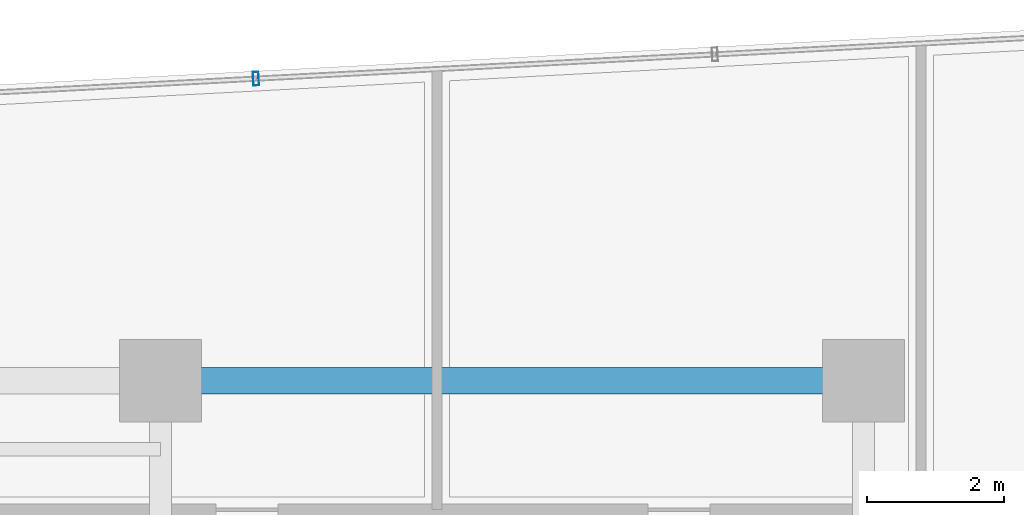
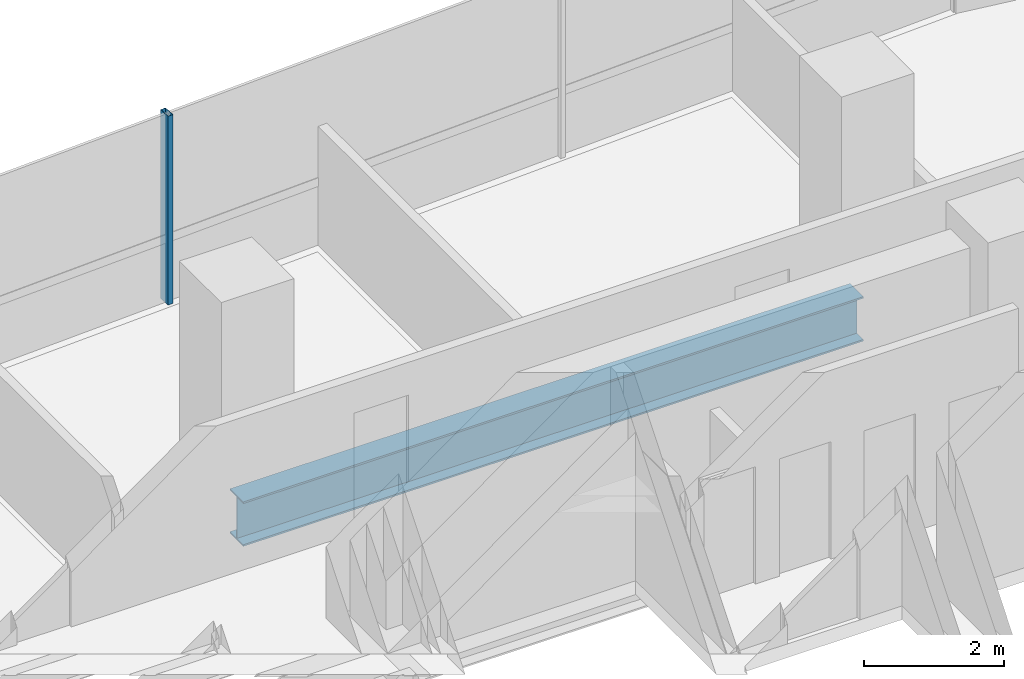
# One storey, part 20 of 35: 1 beam, 1 member, 1 element without a shape of its own.
"""IFC4 building model written with IfcOpenShell, lengths in metres."""

from ifc_helpers import new_model, si_unit, direction, frame, origin, origin_2d, place, context, subcontext, project, spatial, hollow_rectangle, i_section, extrude, source, transform, mapped, material, material_profile, profile_set, type_object, element, aggregate, save


model = new_model("IFC4")

# Units and contexts
model_context = context("Model", 3, precision=1e-05, world=origin(), true_north=direction((0.0, 1.0)))
body_context = subcontext(model_context, "Body", "Model", "MODEL_VIEW")
ifc_project = project(units=[si_unit("LENGTHUNIT", "METRE"), si_unit("AREAUNIT", "SQUARE_METRE"), si_unit("VOLUMEUNIT", "CUBIC_METRE"), si_unit("PLANEANGLEUNIT", "RADIAN"), si_unit("MASSUNIT", "GRAM", prefix="KILO")], contexts=[model_context])

# Site, building, storey
site_placement = place(None, origin())
site = spatial("IfcSite", under=ifc_project, at=site_placement, CompositionType="ELEMENT")
building_placement = place(site_placement, origin())
building = spatial("IfcBuilding", under=site, at=building_placement, Name="Valdorenza Pilgrim Sanctuary Tower", CompositionType="ELEMENT")
storey_placement = place(building_placement, frame((0.0, 0.0, 168.60009765625)))
storey = spatial("IfcBuildingStorey", under=building, at=storey_placement, Name="L43", CompositionType="ELEMENT", Elevation=168.60009765625)

# Beam
ifc_material_1 = material(Name="Steel ASTM A992 Grade 50", Category="steel")
ifc_material_profile_1 = material_profile(ifc_material_1, i_section(OverallWidth=0.382080078125, OverallDepth=0.779052734375, WebThickness=0.01806640625, FlangeThickness=0.030029296875, at=origin_2d()), Name="W30X191")
ifc_profile_set_1 = profile_set([ifc_material_profile_1], Name="Steel ASTM A992 Grade 50")
beam_type = type_object("IfcBeamType", Name="STR-BM-GRD-W30", PredefinedType="BEAM", material=ifc_profile_set_1)
shared_shape_1 = source(origin(), body_context, "Body", "SweptSolid", [
    extrude(i_section(OverallWidth=0.382080078125, OverallDepth=0.779052734375, WebThickness=0.01806640625, FlangeThickness=0.030029296875, at=origin_2d()), origin(), (0.0, 0.0, 1.0), 10.25),
])
beam_placement = place(storey_placement, frame((-22.64990234375, 14.800048828125, -0.629638671875), z_axis=(1.0, 0.0, 0.0), x_axis=(0.0, 1.0, 0.0)))
element("IfcBeam", 1, at=beam_placement, inside=storey, type_object=beam_type, Name="L43 Floor Girder CA-XC-N2", PredefinedType="BEAM", context=body_context, shape_type="MappedRepresentation", body=[
    mapped(shared_shape_1, transform((0.0, 0.0, 0.0), x_axis=(1.0, 0.0, 0.0), y_axis=(0.0, 1.0, 0.0), z_axis=(0.0, 0.0, 1.0), scale=1.0)),
])

# Curtain wall, member
ifc_material_2 = material(Name="Curtain-wall IGU glazing", Category="glass")
curtain_wall_type = type_object("IfcCurtainWallType", Name="CW-SYS-02", PredefinedType="NOTDEFINED", material=ifc_material_2)
curtain_wall_placement = place(storey_placement, origin())
curtain_wall = element("IfcCurtainWall", 2, at=curtain_wall_placement, inside=storey, type_object=curtain_wall_type, Name="L43 Curtain Wall CW-L43-1-6", PredefinedType="NOTDEFINED")
ifc_material_3 = material(Name="Anodised aluminium AW-6060", Category="aluminium")
ifc_material_profile_2 = material_profile(ifc_material_3, hollow_rectangle(XDim=0.0849609375, YDim=0.199951171875, WallThickness=0.0048828125, at=origin_2d()), Name="ALU-M 200x85x5")
ifc_profile_set_2 = profile_set([ifc_material_profile_2], Name="Anodised aluminium AW-6060")
member_type = type_object("IfcMemberType", Name="CW-MUL-02", PredefinedType="MULLION", material=ifc_profile_set_2)
shared_shape_2 = source(origin(), body_context, "Body", "SweptSolid", [
    extrude(hollow_rectangle(XDim=0.0849609375, YDim=0.199951171875, WallThickness=0.0048828125, at=origin_2d()), origin(), (0.0, 0.0, 1.0), 3.2998046875),
])
member_placement = place(storey_placement, frame((-21.259765625, 19.204345703125, 0.0), z_axis=(0.0, 0.0, 1.0), x_axis=(0.998607524712, 0.052754256601, 0.0)))
member = element("IfcMember", 3, at=member_placement, type_object=member_type, Name="CW-L43-1-6 Mullion 2", PredefinedType="MULLION", context=body_context, shape_type="MappedRepresentation", body=[
    mapped(shared_shape_2, transform((0.0, 0.0, 0.0), x_axis=(1.0, 0.0, 0.0), y_axis=(0.0, 1.0, 0.0), z_axis=(0.0, 0.0, 1.0), scale=1.0)),
])
aggregate(curtain_wall, [member])

save(model, "model.ifc")
